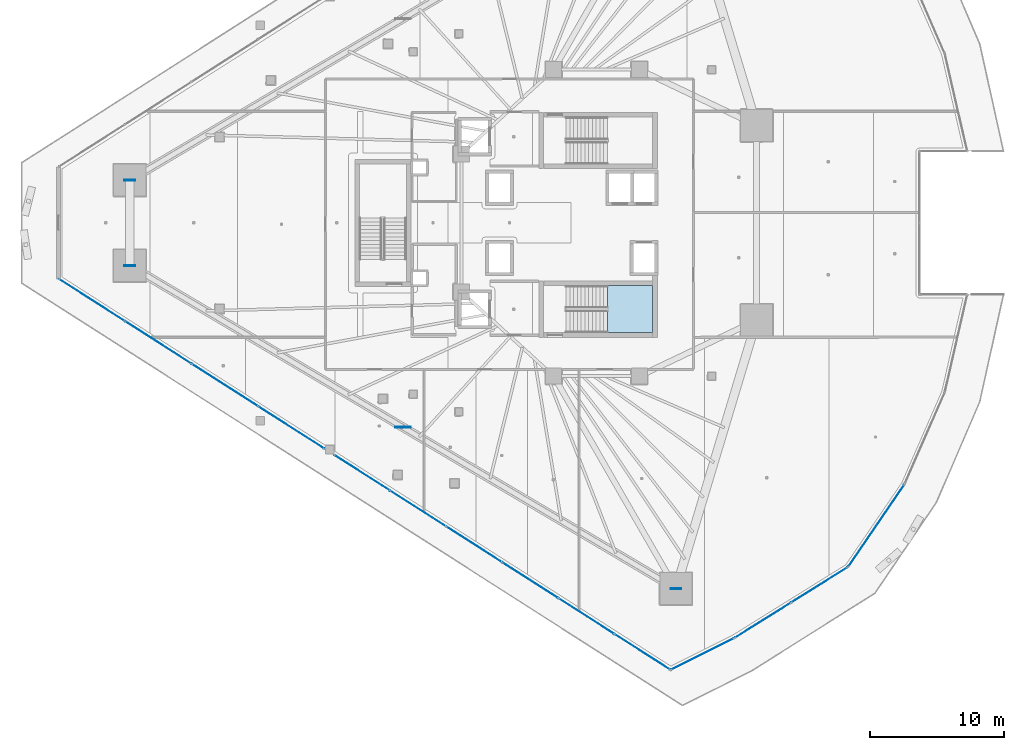
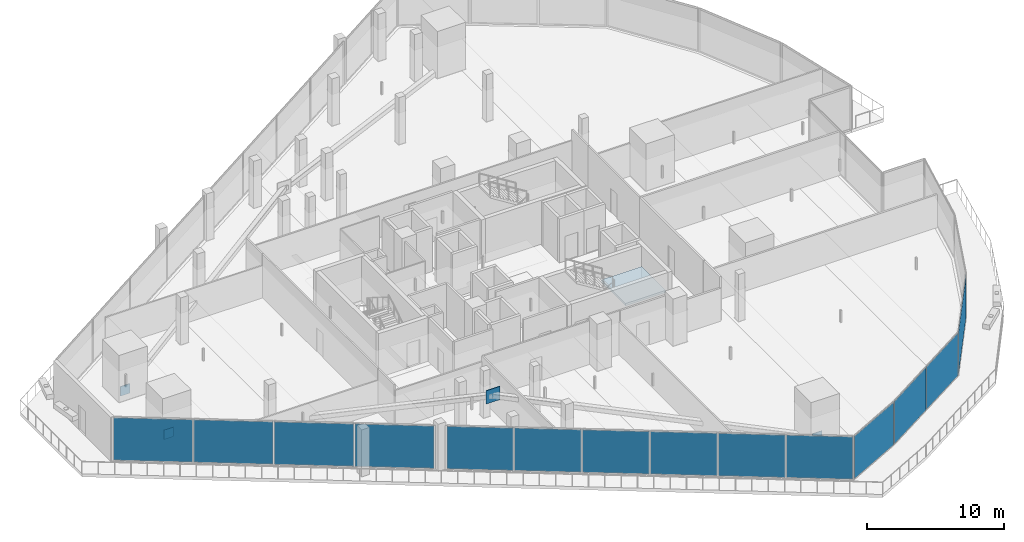
# One storey, part 27 of 45: 18 plates, 1 slab, 6 elements without a shape of their own.
"""IFC4 building model written with IfcOpenShell, lengths in metres."""

from ifc_helpers import new_model, si_unit, direction, frame, origin, origin_2d, place, context, subcontext, project, spatial, polyline, rectangle, outline, extrude, material, layer, layer_set, type_object, element, aggregate, save


model = new_model("IFC4")

# Units and contexts
model_context = context("Model", 3, precision=1e-05, world=origin(), true_north=direction((0.0, 1.0)))
body_context = subcontext(model_context, "Body", "Model", "MODEL_VIEW")
ifc_project = project(units=[si_unit("LENGTHUNIT", "METRE"), si_unit("AREAUNIT", "SQUARE_METRE"), si_unit("VOLUMEUNIT", "CUBIC_METRE"), si_unit("PLANEANGLEUNIT", "RADIAN"), si_unit("MASSUNIT", "GRAM", prefix="KILO")], contexts=[model_context])

# Site, building, storey
site_placement = place(None, origin())
site = spatial("IfcSite", under=ifc_project, at=site_placement, CompositionType="ELEMENT")
building_placement = place(site_placement, origin())
building = spatial("IfcBuilding", under=site, at=building_placement, Name="Qorvath Tower", CompositionType="ELEMENT")
storey_placement = place(building_placement, frame((0.0, 0.0, 49.199951171875)))
storey = spatial("IfcBuildingStorey", under=building, at=storey_placement, Name="L10", CompositionType="ELEMENT", Elevation=49.199951171875)

# Curtain wall, plates
ifc_material_1 = material(Name="Anodised aluminium and triple low-E glass", Category="aluminium")
ifc_layer_1 = layer(ifc_material_1, 0.179931640625)
ifc_layer_set_1 = layer_set([ifc_layer_1], Name="CW-SYS-2")
curtain_wall_type = type_object("IfcCurtainWallType", Name="CW-SYS-2", PredefinedType="NOTDEFINED", material=ifc_layer_set_1)
curtain_wall_1_placement = place(storey_placement, origin())
curtain_wall_1 = element("IfcCurtainWall", 1, at=curtain_wall_1_placement, inside=storey, type_object=curtain_wall_type, Name="Curtain Wall CW-2 CW-T-L10-2.1", PredefinedType="NOTDEFINED")
ifc_material_2 = material(Name="Low-E triple insulated glass", Category="glass")
ifc_layer_2 = layer(ifc_material_2, 0.031982421875)
ifc_layer_set_2 = layer_set([ifc_layer_2], Name="CWP-GLZ-32")
plate_type_1 = type_object("IfcPlateType", Name="CWP-GLZ-32", PredefinedType="CURTAIN_PANEL", material=ifc_layer_set_2)
plate_1_placement = place(storey_placement, frame((-58.10009765625, -5.7744140625, 0.065185546875), z_axis=(0.0, 0.0, 1.0), x_axis=(0.842605152044, -0.538531853978, 0.0)))
plate_1 = element("IfcPlate", 2, at=plate_1_placement, type_object=plate_type_1, Name="CW-2 panel 1.1", PredefinedType="CURTAIN_PANEL", context=body_context, shape_type="SweptSolid", body=[
    extrude(rectangle(XDim=5.806396484375, YDim=0.031982421875, at=origin_2d()), origin(), (0.0, 0.0, 1.0), 3.7900390625),
])
plate_2_placement = place(storey_placement, frame((-53.13916015625, -8.945068359375, 0.065185546875), z_axis=(0.0, 0.0, 1.0), x_axis=(0.842605152044, -0.538531853978, 0.0)))
plate_2 = element("IfcPlate", 3, at=plate_2_placement, type_object=plate_type_1, Name="CW-2 panel 2.1", PredefinedType="CURTAIN_PANEL", context=body_context, shape_type="SweptSolid", body=[
    extrude(rectangle(XDim=5.8388671875, YDim=0.031982421875, at=origin_2d()), origin(), (0.0, 0.0, 1.0), 3.7900390625),
])
plate_3_placement = place(storey_placement, frame((-48.164306640625, -12.12451171875, 0.065185546875), z_axis=(0.0, 0.0, 1.0), x_axis=(0.842605152044, -0.538531853978, 0.0)))
plate_3 = element("IfcPlate", 4, at=plate_3_placement, type_object=plate_type_1, Name="CW-2 panel 3.1", PredefinedType="CURTAIN_PANEL", context=body_context, shape_type="SweptSolid", body=[
    extrude(rectangle(XDim=5.8388671875, YDim=0.031982421875, at=origin_2d()), origin(), (0.0, 0.0, 1.0), 3.7900390625),
])
plate_4_placement = place(storey_placement, frame((-43.203369140625, -15.29541015625, 0.065185546875), z_axis=(0.0, 0.0, 1.0), x_axis=(0.842605152044, -0.538531853978, 0.0)))
plate_4 = element("IfcPlate", 5, at=plate_4_placement, type_object=plate_type_1, Name="CW-2 panel 4.1", PredefinedType="CURTAIN_PANEL", context=body_context, shape_type="SweptSolid", body=[
    extrude(rectangle(XDim=5.806396484375, YDim=0.031982421875, at=origin_2d()), origin(), (0.0, 0.0, 1.0), 3.7900390625),
])
aggregate(curtain_wall_1, [plate_1, plate_2, plate_3, plate_4])

curtain_wall_2_placement = place(storey_placement, origin())
curtain_wall_2 = element("IfcCurtainWall", 6, at=curtain_wall_2_placement, inside=storey, type_object=curtain_wall_type, Name="Curtain Wall CW-2 CW-T-L10-2.2", PredefinedType="NOTDEFINED")
plate_5_placement = place(storey_placement, frame((-37.916015625, -18.674560546875, 0.065185546875), z_axis=(0.0, 0.0, 1.0), x_axis=(0.842602136698, -0.538536571861, 0.0)))
plate_5 = element("IfcPlate", 7, at=plate_5_placement, type_object=plate_type_1, Name="CW-2 panel 1.1", PredefinedType="CURTAIN_PANEL", context=body_context, shape_type="SweptSolid", body=[
    extrude(rectangle(XDim=4.879638671875, YDim=0.031982421875, at=origin_2d()), origin(), (0.0, 0.0, 1.0), 3.7900390625),
])
plate_6_placement = place(storey_placement, frame((-33.73583984375, -21.34619140625, 0.065185546875), z_axis=(0.0, 0.0, 1.0), x_axis=(0.842602136698, -0.538536571861, 0.0)))
plate_6 = element("IfcPlate", 8, at=plate_6_placement, type_object=plate_type_1, Name="CW-2 panel 2.1", PredefinedType="CURTAIN_PANEL", context=body_context, shape_type="SweptSolid", body=[
    extrude(rectangle(XDim=4.912109375, YDim=0.031982421875, at=origin_2d()), origin(), (0.0, 0.0, 1.0), 3.7900390625),
])
plate_7_placement = place(storey_placement, frame((-29.542236328125, -24.026611328125, 0.065185546875), z_axis=(0.0, 0.0, 1.0), x_axis=(0.842602136698, -0.538536571861, 0.0)))
plate_7 = element("IfcPlate", 9, at=plate_7_placement, type_object=plate_type_1, Name="CW-2 panel 3.1", PredefinedType="CURTAIN_PANEL", context=body_context, shape_type="SweptSolid", body=[
    extrude(rectangle(XDim=4.912109375, YDim=0.031982421875, at=origin_2d()), origin(), (0.0, 0.0, 1.0), 3.7900390625),
])
plate_8_placement = place(storey_placement, frame((-25.348388671875, -26.70703125, 0.065185546875), z_axis=(0.0, 0.0, 1.0), x_axis=(0.842602136698, -0.538536571861, 0.0)))
plate_8 = element("IfcPlate", 10, at=plate_8_placement, type_object=plate_type_1, Name="CW-2 panel 4.1", PredefinedType="CURTAIN_PANEL", context=body_context, shape_type="SweptSolid", body=[
    extrude(rectangle(XDim=4.912109375, YDim=0.031982421875, at=origin_2d()), origin(), (0.0, 0.0, 1.0), 3.7900390625),
])
plate_9_placement = place(storey_placement, frame((-21.154541015625, -29.387451171875, 0.065185546875), z_axis=(0.0, 0.0, 1.0), x_axis=(0.842602136698, -0.538536571861, 0.0)))
plate_9 = element("IfcPlate", 11, at=plate_9_placement, type_object=plate_type_1, Name="CW-2 panel 5.1", PredefinedType="CURTAIN_PANEL", context=body_context, shape_type="SweptSolid", body=[
    extrude(rectangle(XDim=4.912109375, YDim=0.031982421875, at=origin_2d()), origin(), (0.0, 0.0, 1.0), 3.7900390625),
])
plate_10_placement = place(storey_placement, frame((-16.974609375, -32.05908203125, 0.065185546875), z_axis=(0.0, 0.0, 1.0), x_axis=(0.842602136698, -0.538536571861, 0.0)))
plate_10 = element("IfcPlate", 12, at=plate_10_placement, type_object=plate_type_1, Name="CW-2 panel 6.1", PredefinedType="CURTAIN_PANEL", context=body_context, shape_type="SweptSolid", body=[
    extrude(rectangle(XDim=4.879638671875, YDim=0.031982421875, at=origin_2d()), origin(), (0.0, 0.0, 1.0), 3.7900390625),
])
aggregate(curtain_wall_2, [plate_5, plate_6, plate_7, plate_8, plate_9, plate_10])

# Curtain wall, plate
curtain_wall_3_placement = place(storey_placement, origin())
curtain_wall_3 = element("IfcCurtainWall", 13, at=curtain_wall_3_placement, inside=storey, type_object=curtain_wall_type, Name="Curtain Wall CW-2 CW-T-L10-3.1", PredefinedType="NOTDEFINED")
plate_11_placement = place(storey_placement, frame((-12.477783203125, -32.21484375, 0.065185546875), z_axis=(0.0, 0.0, 1.0), x_axis=(0.89440470044, 0.447258573792, 0.0)))
plate_11 = element("IfcPlate", 14, at=plate_11_placement, type_object=plate_type_1, Name="CW-2 panel 1.1", PredefinedType="CURTAIN_PANEL", context=body_context, shape_type="SweptSolid", body=[
    extrude(rectangle(XDim=5.205810546875, YDim=0.031982421875, at=origin_2d()), origin(), (0.0, 0.0, 1.0), 3.7900390625),
])
aggregate(curtain_wall_3, [plate_11])

# Curtain wall, plates
curtain_wall_4_placement = place(storey_placement, origin())
curtain_wall_4 = element("IfcCurtainWall", 15, at=curtain_wall_4_placement, inside=storey, type_object=curtain_wall_type, Name="Curtain Wall CW-2 CW-T-L10-4.1", PredefinedType="NOTDEFINED")
plate_12_placement = place(storey_placement, frame((-7.9560546875, -29.687744140625, 0.065185546875), z_axis=(0.0, 0.0, 1.0), x_axis=(0.848170054125, 0.529724040691, 0.0)))
plate_12 = element("IfcPlate", 16, at=plate_12_placement, type_object=plate_type_1, Name="CW-2 panel 1.1", PredefinedType="CURTAIN_PANEL", context=body_context, shape_type="SweptSolid", body=[
    extrude(rectangle(XDim=4.90576171875, YDim=0.031982421875, at=origin_2d()), origin(), (0.0, 0.0, 1.0), 3.7900390625),
])
plate_13_placement = place(storey_placement, frame((-3.73974609375, -27.054443359375, 0.065185546875), z_axis=(0.0, 0.0, 1.0), x_axis=(0.848170054125, 0.529724040691, 0.0)))
plate_13 = element("IfcPlate", 17, at=plate_13_placement, type_object=plate_type_1, Name="CW-2 panel 2.1", PredefinedType="CURTAIN_PANEL", context=body_context, shape_type="SweptSolid", body=[
    extrude(rectangle(XDim=4.90576171875, YDim=0.031982421875, at=origin_2d()), origin(), (0.0, 0.0, 1.0), 3.7900390625),
])
aggregate(curtain_wall_4, [plate_12, plate_13])

# Curtain wall, plate
curtain_wall_5_placement = place(storey_placement, origin())
curtain_wall_5 = element("IfcCurtainWall", 18, at=curtain_wall_5_placement, inside=storey, type_object=curtain_wall_type, Name="Curtain Wall CW-2 CW-T-L10-5.1", PredefinedType="NOTDEFINED")
plate_14_placement = place(storey_placement, frame((0.509521484375, -22.625, 0.065185546875), z_axis=(0.0, 0.0, 1.0), x_axis=(0.563891314535, 0.825849008834, 0.0)))
plate_14 = element("IfcPlate", 19, at=plate_14_placement, type_object=plate_type_1, Name="CW-2 panel 1.1", PredefinedType="CURTAIN_PANEL", context=body_context, shape_type="SweptSolid", body=[
    extrude(rectangle(XDim=7.366943359375, YDim=0.031982421875, at=origin_2d()), origin(), (0.0, 0.0, 1.0), 3.7900390625),
])
aggregate(curtain_wall_5, [plate_14])

# Plates
ifc_material_3 = material(Name="Steel ASTM A572 Grade 50", Category="steel")
ifc_layer_3 = layer(ifc_material_3, 0.054931640625)
ifc_layer_set_3 = layer_set([ifc_layer_3], Name="PL-MBN1")
plate_type_2 = type_object("IfcPlateType", Name="PL-MBN1", PredefinedType="USERDEFINED", material=ifc_layer_set_3)
plate_15_placement = place(storey_placement, frame((-34.873779296875, -15.2626953125, 2.97021484375), z_axis=(0.0, 0.0, 1.0), x_axis=(1.0, 0.0, 0.0)))
element("IfcPlate", 20, at=plate_15_placement, inside=storey, type_object=plate_type_2, Name="Mega-Brace Chevron Apex Gusset L10-2", ObjectType="GUSSET", PredefinedType="USERDEFINED", context=body_context, shape_type="SweptSolid", body=[
    extrude(rectangle(XDim=1.14990234375, YDim=0.054931640625, at=origin_2d()), origin(), (0.0, 0.0, 1.0), 1.199951171875),
])
for number, where, z_axis, x_axis, name in (
    (21, (-55.282958984375, 3.194580078125, -0.425048828125), (0.0, 0.0, 1.0), (1.0, 0.0, 0.0), "Brace Strut End Gusset Plate NDBG-078"),
    (22, (-55.282958984375, -3.194580078125, -0.425048828125), (0.0, 0.0, 1.0), (1.0, 0.0, 0.0), "Brace Strut End Gusset Plate NDBG-079"),
    (23, (-14.46435546875, -27.330810546875, -0.425048828125), (0.0, 0.0, 1.0), (1.0, 0.0, 0.0), "Brace Strut End Gusset Plate NDBG-080"),
):
    element("IfcPlate", number, at=place(storey_placement, frame(where, z_axis=z_axis, x_axis=x_axis)), inside=storey, type_object=plate_type_2, Name=name, ObjectType="GUSSET", PredefinedType="USERDEFINED", context=body_context, shape_type="SweptSolid", body=[
        extrude(rectangle(XDim=0.800048828125, YDim=0.054931640625, at=origin_2d()), origin(), (0.0, 0.0, 1.0), 0.85009765625),
    ])

# Stair, slab
ifc_material_4 = material(Name="Concrete C50/60", Category="concrete")
stair_type = type_object("IfcStairType", Name="ST-H420", PredefinedType="HALF_TURN_STAIR", material=ifc_material_4)
stair_placement = place(storey_placement, origin())
stair = element("IfcStair", 24, at=stair_placement, inside=storey, type_object=stair_type, Name="L10 Tower Exit Stair 2", PredefinedType="HALF_TURN_STAIR")
ifc_material_5 = material(Name="Concrete C50/60", Category="concrete")
ifc_layer_4 = layer(ifc_material_5, 0.199951171875)
ifc_layer_set_4 = layer_set([ifc_layer_4], Name="SL-LND-200")
slab_type = type_object("IfcSlabType", Name="SL-LND-200", PredefinedType="LANDING", material=ifc_layer_set_4)
slab_placement = place(storey_placement, frame((0.0, 0.0, 1.900146484375)))
slab = element("IfcSlab", 25, at=slab_placement, type_object=slab_type, Name="TS2 landing 1", PredefinedType="LANDING", context=body_context, shape_type="SweptSolid", body=[
    extrude(outline(polyline([(-19.590087890625, -8.199951171875), (-16.199951171875, -8.199951171875), (-16.199951171875, -4.68994140625), (-19.590087890625, -4.68994140625), (-19.590087890625, -8.199951171875)])), origin(), (0.0, 0.0, 1.0), 0.199951171875),
])
aggregate(stair, [slab])

save(model, "model.ifc")
